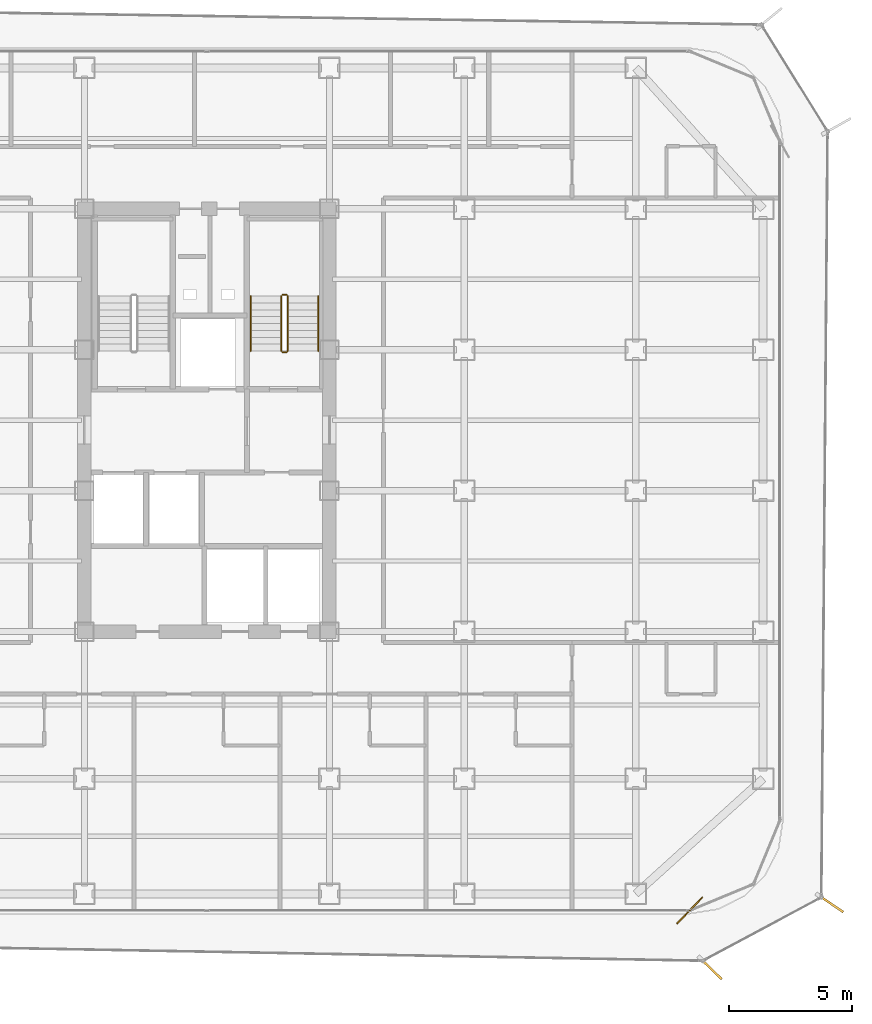
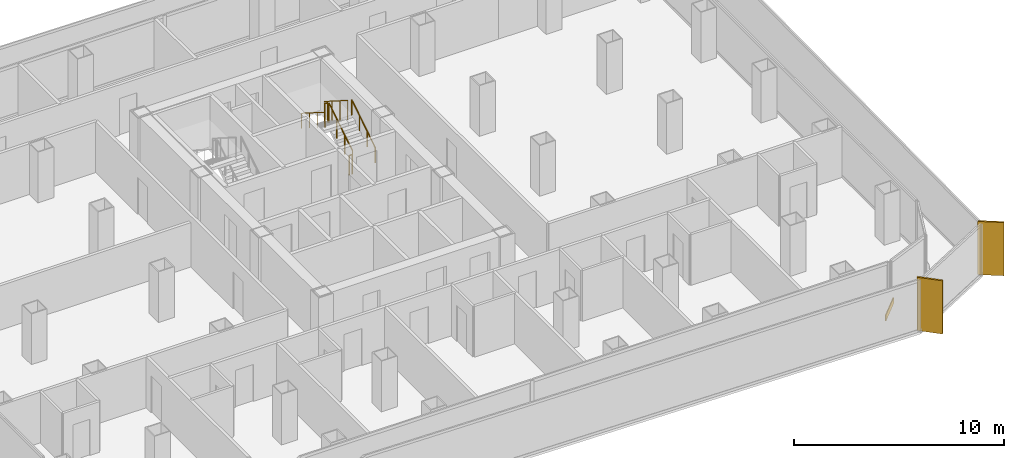
# One storey, part 20 of 21: 6 railings, 2 shading devices, 1 covering.
"""IFC4 building model written with IfcOpenShell, lengths in metres."""

from ifc_helpers import new_model, si_unit, direction, frame, origin, origin_2d, place, context, subcontext, project, spatial, rectangle, circle, extrude, source, transform, mapped, material, layer, layer_set, type_object, element, save


model = new_model("IFC4")

# Units and contexts
model_context = context("Model", 3, precision=1e-05, world=origin(), true_north=direction((0.0, 1.0)))
body_context = subcontext(model_context, "Body", "Model", "MODEL_VIEW")
ifc_project = project(units=[si_unit("LENGTHUNIT", "METRE"), si_unit("AREAUNIT", "SQUARE_METRE"), si_unit("VOLUMEUNIT", "CUBIC_METRE"), si_unit("PLANEANGLEUNIT", "RADIAN"), si_unit("MASSUNIT", "GRAM", prefix="KILO")], contexts=[model_context])

# Site, building, storey
site_placement = place(None, origin())
site = spatial("IfcSite", under=ifc_project, at=site_placement, CompositionType="ELEMENT")
building_placement = place(site_placement, origin())
building = spatial("IfcBuilding", under=site, at=building_placement, Name="Kolveth Station Tower", CompositionType="ELEMENT")
storey_placement = place(building_placement, frame((0.0, 0.0, 111.89990234375)))
storey = spatial("IfcBuildingStorey", under=building, at=storey_placement, Name="L30", CompositionType="ELEMENT", Elevation=111.89990234375)

# Railings
ifc_material_1 = material(Name="Painted Steel S355 balustrade", Category="steel")
railing_type_1 = type_object("IfcRailingType", Name="Guard_GR2", PredefinedType="BALUSTRADE", material=ifc_material_1)
railing_1_placement = place(storey_placement, frame((26.800048828125, 22.949951171875, 0.177978515625)))
element("IfcRailing", 1, at=railing_1_placement, inside=storey, type_object=railing_type_1, Name="L30 ST2 stair guard 1", PredefinedType="BALUSTRADE", context=body_context, shape_type="SweptSolid", body=[
    extrude(circle(Radius=0.02392578125, at=origin_2d()), frame((0.0, 0.0, 1.1259765625), z_axis=(0.0, 0.8442293374, 0.53598211339), x_axis=(-1.0, 0.0, 0.0)), (0.0, 0.0, 1.0), 2.6533203125),
    extrude(circle(Radius=0.02099609375, at=origin_2d()), origin(), (0.0, 0.0, 1.0), 1.101806640625),
    extrude(circle(Radius=0.02099609375, at=origin_2d()), frame((0.0, 0.74658203125, 0.47412109375)), (0.0, 0.0, 1.0), 1.101806640625),
    extrude(circle(Radius=0.02099609375, at=origin_2d()), frame((0.0, 1.493408203125, 0.947998046875)), (0.0, 0.0, 1.0), 1.101806640625),
    extrude(circle(Radius=0.02099609375, at=origin_2d()), frame((0.0, 2.239990234375, 1.422119140625)), (0.0, 0.0, 1.0), 1.101806640625),
])
railing_2_placement = place(storey_placement, frame((26.75, 25.239990234375, 1.60009765625)))
element("IfcRailing", 2, at=railing_2_placement, inside=storey, type_object=railing_type_1, Name="L30 ST2 stair guard 2", PredefinedType="BALUSTRADE", context=body_context, shape_type="SweptSolid", body=[
    extrude(circle(Radius=0.02392578125, at=origin_2d()), frame((0.0, 0.0, 1.1259765625), z_axis=(-1.0, 0.0, 0.0), x_axis=(0.0, -1.0, 0.0)), (0.0, 0.0, 1.0), 0.159912109375),
    extrude(circle(Radius=0.02099609375, at=origin_2d()), origin(), (0.0, 0.0, 1.0), 1.101806640625),
    extrude(circle(Radius=0.02099609375, at=origin_2d()), frame((-0.159912109375, 0.0, 0.0)), (0.0, 0.0, 1.0), 1.101806640625),
])
railing_3_placement = place(storey_placement, frame((26.5400390625, 25.18994140625, 1.77783203125)))
element("IfcRailing", 3, at=railing_3_placement, inside=storey, type_object=railing_type_1, Name="L30 ST2 stair guard 3", PredefinedType="BALUSTRADE", context=body_context, shape_type="SweptSolid", body=[
    extrude(circle(Radius=0.02392578125, at=origin_2d()), frame((0.0, 0.0, 1.1259765625), z_axis=(0.0, -0.84418770128, 0.536047689118), x_axis=(1.0, 0.0, 0.0)), (0.0, 0.0, 1.0), 2.6533203125),
    extrude(circle(Radius=0.02099609375, at=origin_2d()), origin(), (0.0, 0.0, 1.0), 1.101806640625),
    extrude(circle(Radius=0.02099609375, at=origin_2d()), frame((0.0, -0.74658203125, 0.47412109375)), (0.0, 0.0, 1.0), 1.101806640625),
    extrude(circle(Radius=0.02099609375, at=origin_2d()), frame((0.0, -1.493408203125, 0.9482421875)), (0.0, 0.0, 1.0), 1.101806640625),
    extrude(circle(Radius=0.02099609375, at=origin_2d()), frame((0.0, -2.239990234375, 1.42236328125)), (0.0, 0.0, 1.0), 1.101806640625),
])
railing_4_placement = place(storey_placement, frame((26.75, 22.89990234375, 0.0)))
element("IfcRailing", 4, at=railing_4_placement, inside=storey, type_object=railing_type_1, Name="L30 ST2 stair guard 4", PredefinedType="BALUSTRADE", context=body_context, shape_type="SweptSolid", body=[
    extrude(circle(Radius=0.02392578125, at=origin_2d()), frame((0.0, 0.0, 1.1259765625), z_axis=(-1.0, 0.0, 0.0), x_axis=(0.0, -1.0, 0.0)), (0.0, 0.0, 1.0), 0.159912109375),
    extrude(circle(Radius=0.02099609375, at=origin_2d()), origin(), (0.0, 0.0, 1.0), 1.101806640625),
    extrude(circle(Radius=0.02099609375, at=origin_2d()), frame((-0.159912109375, 0.0, 0.0)), (0.0, 0.0, 1.0), 1.101806640625),
])
ifc_material_2 = material(Name="Brushed stainless steel", Category="steel")
railing_type_2 = type_object("IfcRailingType", Name="Handrail_HR1", PredefinedType="HANDRAIL", material=ifc_material_2)
railing_5_placement = place(storey_placement, frame((28.050048828125, 22.949951171875, 0.177978515625)))
element("IfcRailing", 5, at=railing_5_placement, inside=storey, type_object=railing_type_2, Name="L30 ST2 stair handrail 1", PredefinedType="HANDRAIL", context=body_context, shape_type="SweptSolid", body=[
    extrude(circle(Radius=0.02392578125, at=origin_2d()), frame((0.0, 0.0, 0.8759765625), z_axis=(0.0, 0.8442293374, 0.53598211339), x_axis=(-1.0, 0.0, 0.0)), (0.0, 0.0, 1.0), 2.6533203125),
    extrude(circle(Radius=0.02099609375, at=origin_2d()), origin(), (0.0, 0.0, 1.0), 0.851806640625),
    extrude(circle(Radius=0.02099609375, at=origin_2d()), frame((0.0, 0.74658203125, 0.47412109375)), (0.0, 0.0, 1.0), 0.851806640625),
    extrude(circle(Radius=0.02099609375, at=origin_2d()), frame((0.0, 1.493408203125, 0.947998046875)), (0.0, 0.0, 1.0), 0.851806640625),
    extrude(circle(Radius=0.02099609375, at=origin_2d()), frame((0.0, 2.239990234375, 1.422119140625)), (0.0, 0.0, 1.0), 0.851806640625),
])
railing_6_placement = place(storey_placement, frame((25.2900390625, 25.18994140625, 1.77783203125)))
element("IfcRailing", 6, at=railing_6_placement, inside=storey, type_object=railing_type_2, Name="L30 ST2 stair handrail 2", PredefinedType="HANDRAIL", context=body_context, shape_type="SweptSolid", body=[
    extrude(circle(Radius=0.02392578125, at=origin_2d()), frame((0.0, 0.0, 0.8759765625), z_axis=(0.0, -0.84418770128, 0.536047689118), x_axis=(1.0, 0.0, 0.0)), (0.0, 0.0, 1.0), 2.6533203125),
    extrude(circle(Radius=0.02099609375, at=origin_2d()), origin(), (0.0, 0.0, 1.0), 0.851806640625),
    extrude(circle(Radius=0.02099609375, at=origin_2d()), frame((0.0, -0.74658203125, 0.47412109375)), (0.0, 0.0, 1.0), 0.851806640625),
    extrude(circle(Radius=0.02099609375, at=origin_2d()), frame((0.0, -1.493408203125, 0.9482421875)), (0.0, 0.0, 1.0), 0.851806640625),
    extrude(circle(Radius=0.02099609375, at=origin_2d()), frame((0.0, -2.239990234375, 1.42236328125)), (0.0, 0.0, 1.0), 0.851806640625),
])

# Shading devices
ifc_material_3 = material(Name="Black anodized aluminium 6063-T6", Category="aluminium")
shading_device_type = type_object("IfcShadingDeviceType", Name="FIN_VF1", PredefinedType="USERDEFINED", material=ifc_material_3)
shared_shape_1 = source(origin(), body_context, "Body", "SweptSolid", [
    extrude(rectangle(XDim=1.25, YDim=0.090087890625, at=origin_2d()), origin(), (0.0, 0.0, 1.0), 3.10009765625),
])
for number, where, z_axis, x_axis, name in (
    (7, (44.06005859375, -2.2490234375, 0.0), (0.0, 0.0, 1.0), (0.718611961505, -0.69541128031, 0.0), "L30 Dark-Aluminium Solar Fin 1"),
    (8, (48.949951171875, 0.406005859375, 0.0), (0.0, 0.0, 1.0), (0.827864584251, -0.560928007986, 0.0), "L30 Dark-Aluminium Solar Fin 2"),
):
    element("IfcShadingDevice", number, at=place(storey_placement, frame(where, z_axis=z_axis, x_axis=x_axis)), inside=storey, type_object=shading_device_type, Name=name, ObjectType="FIN", PredefinedType="USERDEFINED", context=body_context, shape_type="MappedRepresentation", body=[
        mapped(shared_shape_1, transform((0.0, 0.0, 0.0), x_axis=(1.0, 0.0, 0.0), y_axis=(0.0, 1.0, 0.0), z_axis=(0.0, 0.0, 1.0), scale=1.0)),
    ])

# Covering
ifc_material_4 = material(Name="Charcoal anodized aluminium spandrel cladding", Category="aluminium")
ifc_layer = layer(ifc_material_4, 0.044921875)
ifc_layer_set = layer_set([ifc_layer], Name="Charcoal anodized aluminium spandrel cladding")
covering_type = type_object("IfcCoveringType", Name="Clad_CD1", PredefinedType="CLADDING", material=ifc_layer_set)
shared_shape_2 = source(origin(), body_context, "Body", "SweptSolid", [
    extrude(rectangle(XDim=1.5, YDim=0.044921875, at=origin_2d()), origin(), (0.0, 0.0, 1.0), 0.360107421875),
])
covering_placement = place(storey_placement, frame((43.199951171875, 0.1201171875, 0.0), z_axis=(0.0, 0.0, 1.0), x_axis=(0.69541128031, 0.718611961505, 0.0)))
element("IfcCovering", 9, at=covering_placement, inside=storey, type_object=covering_type, Name="L30 Spandrel Edge Cladding 1", PredefinedType="CLADDING", context=body_context, shape_type="MappedRepresentation", body=[
    mapped(shared_shape_2, transform((0.0, 0.0, 0.0), x_axis=(1.0, 0.0, 0.0), y_axis=(0.0, 1.0, 0.0), z_axis=(0.0, 0.0, 1.0), scale=1.0)),
])

save(model, "model.ifc")
